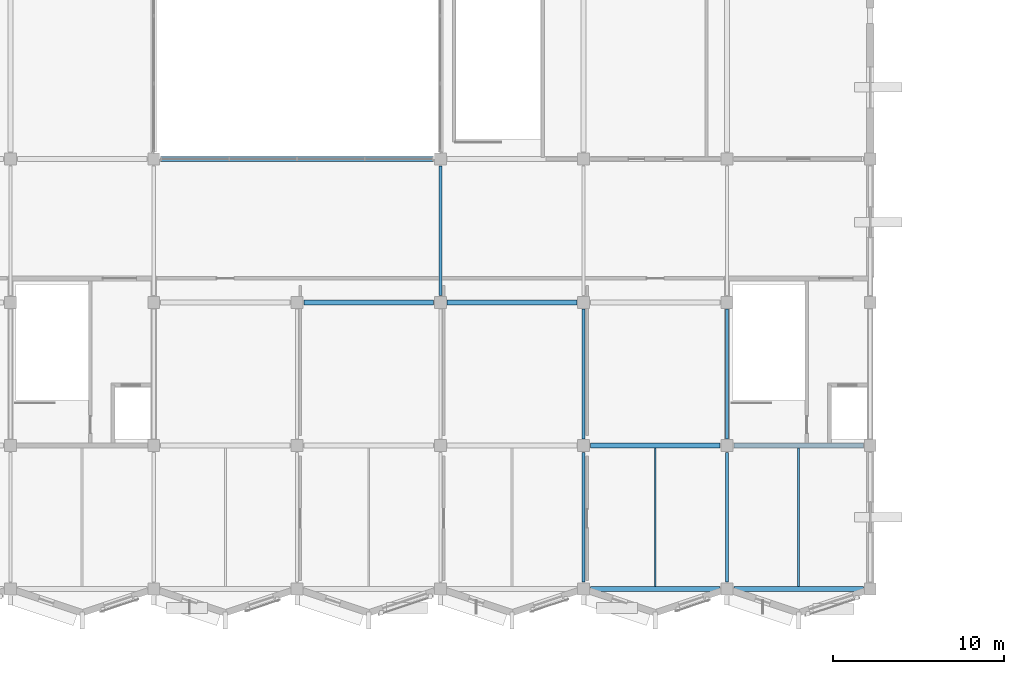
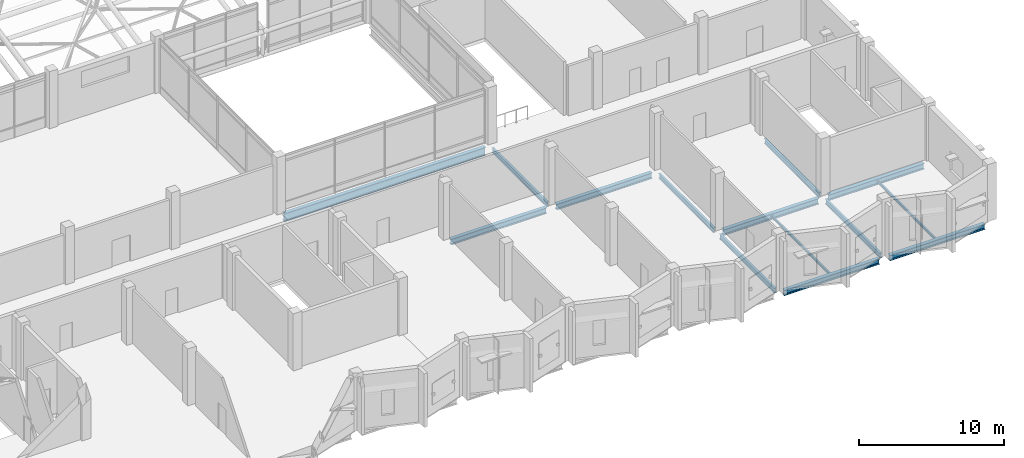
# One storey, part 19 of 110: 14 beams.
"""IFC4 building model written with IfcOpenShell, lengths in metres."""

from ifc_helpers import new_model, si_unit, direction, frame, origin, origin_2d, place, context, subcontext, project, spatial, i_section, extrude, material, material_profile, profile_set, type_object, element, save


model = new_model("IFC4")

# Units and contexts
model_context = context("Model", 3, precision=1e-05, world=origin(), true_north=direction((0.0, 1.0)))
body_context = subcontext(model_context, "Body", "Model", "MODEL_VIEW")
ifc_project = project(units=[si_unit("LENGTHUNIT", "METRE"), si_unit("AREAUNIT", "SQUARE_METRE"), si_unit("VOLUMEUNIT", "CUBIC_METRE"), si_unit("PLANEANGLEUNIT", "RADIAN"), si_unit("MASSUNIT", "GRAM", prefix="KILO")], contexts=[model_context])

# Site, building, storey
site_placement = place(None, origin())
site = spatial("IfcSite", under=ifc_project, at=site_placement, CompositionType="ELEMENT")
building_placement = place(site_placement, origin())
building = spatial("IfcBuilding", under=site, at=building_placement, Name="Qawsi Khor Wholesale Market", CompositionType="ELEMENT")
storey_placement = place(building_placement, frame((0.0, 0.0, 11.39990234375)))
storey = spatial("IfcBuildingStorey", under=building, at=storey_placement, Name="L02", CompositionType="ELEMENT", Elevation=11.39990234375)

# Beams
ifc_material = material(Name="Steel S355", Category="steel")
ifc_material_profile_1 = material_profile(ifc_material, i_section(OverallWidth=0.300048828125, OverallDepth=0.449951171875, WebThickness=0.013916015625, FlangeThickness=0.02587890625, FilletRadius=0.027099609375, at=origin_2d()), Name="HEB 450")
ifc_profile_set_1 = profile_set([ifc_material_profile_1], Name="Steel S355")
beam_type_1 = type_object("IfcBeamType", Name="Heavy Edge Girder HEB 450", PredefinedType="BEAM", material=ifc_profile_set_1)
beam_1_placement = place(storey_placement, frame((176.800048828125, 0.0, -0.5048828125), z_axis=(1.0, 0.0, 0.0), x_axis=(0.0, 1.0, 0.0)))
element("IfcBeam", 1, at=beam_1_placement, inside=storey, type_object=beam_type_1, Name="BM-X-L02-21_+00", PredefinedType="BEAM", context=body_context, shape_type="SweptSolid", body=[
    extrude(i_section(OverallWidth=0.300048828125, OverallDepth=0.449951171875, WebThickness=0.013916015625, FlangeThickness=0.02587890625, FilletRadius=0.027099609375, at=origin_2d()), origin(), (0.0, 0.0, 1.0), 7.599853515625),
])
beam_2_placement = place(storey_placement, frame((185.199951171875, 0.0, -0.5048828125), z_axis=(1.0, 0.0, 0.0), x_axis=(0.0, 1.0, 0.0)))
element("IfcBeam", 2, at=beam_2_placement, inside=storey, type_object=beam_type_1, Name="BM-X-L02-22_+00", PredefinedType="BEAM", context=body_context, shape_type="SweptSolid", body=[
    extrude(i_section(OverallWidth=0.300048828125, OverallDepth=0.449951171875, WebThickness=0.013916015625, FlangeThickness=0.02587890625, FilletRadius=0.027099609375, at=origin_2d()), origin(), (0.0, 0.0, 1.0), 7.60009765625),
])
ifc_material_profile_2 = material_profile(ifc_material, i_section(OverallWidth=0.300048828125, OverallDepth=0.489990234375, WebThickness=0.011962890625, FlangeThickness=0.02294921875, FilletRadius=0.027099609375, at=origin_2d()), Name="HEA 500")
ifc_profile_set_2 = profile_set([ifc_material_profile_2], Name="Steel S355")
beam_type_2 = type_object("IfcBeamType", Name="Primary Girder HEA 500", PredefinedType="BEAM", material=ifc_profile_set_2)
for number, where, z_axis, x_axis, name in (
    (3, (160.0, 16.800048828125, -0.52490234375), (1.0, 0.0, 0.0), (0.0, 1.0, 0.0), "BM-X-L02-19_+02"),
    (4, (168.39990234375, 16.800048828125, -0.52490234375), (1.0, 0.0, 0.0), (0.0, 1.0, 0.0), "BM-X-L02-20_+02"),
):
    element("IfcBeam", number, at=place(storey_placement, frame(where, z_axis=z_axis, x_axis=x_axis)), inside=storey, type_object=beam_type_2, Name=name, PredefinedType="BEAM", context=body_context, shape_type="SweptSolid", body=[
        extrude(i_section(OverallWidth=0.300048828125, OverallDepth=0.489990234375, WebThickness=0.011962890625, FlangeThickness=0.02294921875, FilletRadius=0.027099609375, at=origin_2d()), origin(), (0.0, 0.0, 1.0), 7.60009765625),
    ])
beam_3_placement = place(storey_placement, frame((176.800048828125, 8.39990234375, -0.52490234375), z_axis=(1.0, 0.0, 0.0), x_axis=(0.0, 1.0, 0.0)))
element("IfcBeam", 5, at=beam_3_placement, inside=storey, type_object=beam_type_2, Name="BM-X-L02-21_+01", PredefinedType="BEAM", context=body_context, shape_type="SweptSolid", body=[
    extrude(i_section(OverallWidth=0.300048828125, OverallDepth=0.489990234375, WebThickness=0.011962890625, FlangeThickness=0.02294921875, FilletRadius=0.027099609375, at=origin_2d()), origin(), (0.0, 0.0, 1.0), 7.599853515625),
])
beam_4_placement = place(storey_placement, frame((185.199951171875, 8.39990234375, -0.52490234375), z_axis=(1.0, 0.0, 0.0), x_axis=(0.0, 1.0, 0.0)))
element("IfcBeam", 6, at=beam_4_placement, inside=storey, type_object=beam_type_2, Name="BM-X-L02-22_+01", PredefinedType="BEAM", context=body_context, shape_type="SweptSolid", body=[
    extrude(i_section(OverallWidth=0.300048828125, OverallDepth=0.489990234375, WebThickness=0.011962890625, FlangeThickness=0.02294921875, FilletRadius=0.027099609375, at=origin_2d()), origin(), (0.0, 0.0, 1.0), 7.60009765625),
])
ifc_material_profile_3 = material_profile(ifc_material, i_section(OverallWidth=0.300048828125, OverallDepth=0.68994140625, WebThickness=0.014404296875, FlangeThickness=0.027099609375, FilletRadius=0.027099609375, at=origin_2d()), Name="HEA 700")
ifc_profile_set_3 = profile_set([ifc_material_profile_3], Name="Steel S355")
beam_type_3 = type_object("IfcBeamType", Name="Primary Girder HEA 700", PredefinedType="BEAM", material=ifc_profile_set_3)
beam_5_placement = place(storey_placement, frame((151.60009765625, 25.199951171875, -0.625), z_axis=(1.0, 0.0, 0.0), x_axis=(0.0, 1.0, 0.0)))
element("IfcBeam", 7, at=beam_5_placement, inside=storey, type_object=beam_type_3, Name="BM-XL-L02-18_+03", PredefinedType="BEAM", context=body_context, shape_type="SweptSolid", body=[
    extrude(i_section(OverallWidth=0.300048828125, OverallDepth=0.68994140625, WebThickness=0.014404296875, FlangeThickness=0.027099609375, FilletRadius=0.027099609375, at=origin_2d()), origin(), (0.0, 0.0, 1.0), 16.0),
])
ifc_material_profile_4 = material_profile(ifc_material, i_section(OverallWidth=0.179931640625, OverallDepth=0.39990234375, WebThickness=0.008544921875, FlangeThickness=0.013427734375, FilletRadius=0.02099609375, at=origin_2d()), Name="IPE 400")
ifc_profile_set_4 = profile_set([ifc_material_profile_4], Name="Steel S355")
beam_type_4 = type_object("IfcBeamType", Name="Secondary Beam IPE 400", PredefinedType="BEAM", material=ifc_profile_set_4)
for number, where, z_axis, x_axis, name in (
    (8, (168.0, 17.199951171875, -0.47998046875), (0.0, 1.0, 0.0), (-1.0, 0.0, 0.0), "BM-Y-L02-20_+02"),
    (9, (176.39990234375, 0.39990234375, -0.47998046875), (0.0, 1.0, 0.0), (-1.0, 0.0, 0.0), "BM-Y-L02-21_+00"),
):
    element("IfcBeam", number, at=place(storey_placement, frame(where, z_axis=z_axis, x_axis=x_axis)), inside=storey, type_object=beam_type_4, Name=name, PredefinedType="BEAM", context=body_context, shape_type="SweptSolid", body=[
        extrude(i_section(OverallWidth=0.179931640625, OverallDepth=0.39990234375, WebThickness=0.008544921875, FlangeThickness=0.013427734375, FilletRadius=0.02099609375, at=origin_2d()), origin(), (0.0, 0.0, 1.0), 7.60009765625),
    ])
beam_6_placement = place(storey_placement, frame((176.39990234375, 8.800048828125, -0.47998046875), z_axis=(0.0, 1.0, 0.0), x_axis=(-1.0, 0.0, 0.0)))
element("IfcBeam", 10, at=beam_6_placement, inside=storey, type_object=beam_type_4, Name="BM-Y-L02-21_+01", PredefinedType="BEAM", context=body_context, shape_type="SweptSolid", body=[
    extrude(i_section(OverallWidth=0.179931640625, OverallDepth=0.39990234375, WebThickness=0.008544921875, FlangeThickness=0.013427734375, FilletRadius=0.02099609375, at=origin_2d()), origin(), (0.0, 0.0, 1.0), 7.599853515625),
])
beam_7_placement = place(storey_placement, frame((184.800048828125, 0.39990234375, -0.47998046875), z_axis=(0.0, 1.0, 0.0), x_axis=(-1.0, 0.0, 0.0)))
element("IfcBeam", 11, at=beam_7_placement, inside=storey, type_object=beam_type_4, Name="BM-Y-L02-22_+00", PredefinedType="BEAM", context=body_context, shape_type="SweptSolid", body=[
    extrude(i_section(OverallWidth=0.179931640625, OverallDepth=0.39990234375, WebThickness=0.008544921875, FlangeThickness=0.013427734375, FilletRadius=0.02099609375, at=origin_2d()), origin(), (0.0, 0.0, 1.0), 7.60009765625),
])
beam_8_placement = place(storey_placement, frame((184.800048828125, 8.800048828125, -0.47998046875), z_axis=(0.0, 1.0, 0.0), x_axis=(-1.0, 0.0, 0.0)))
element("IfcBeam", 12, at=beam_8_placement, inside=storey, type_object=beam_type_4, Name="BM-Y-L02-22_+01", PredefinedType="BEAM", context=body_context, shape_type="SweptSolid", body=[
    extrude(i_section(OverallWidth=0.179931640625, OverallDepth=0.39990234375, WebThickness=0.008544921875, FlangeThickness=0.013427734375, FilletRadius=0.02099609375, at=origin_2d()), origin(), (0.0, 0.0, 1.0), 7.599853515625),
])
ifc_material_profile_5 = material_profile(ifc_material, i_section(OverallWidth=0.110107421875, OverallDepth=0.219970703125, WebThickness=0.005859375, FlangeThickness=0.00927734375, FilletRadius=0.011962890625, at=origin_2d()), Name="IPE 220")
ifc_profile_set_5 = profile_set([ifc_material_profile_5], Name="Steel S355")
beam_type_5 = type_object("IfcBeamType", Name="Terrace Joist IPE 220", PredefinedType="JOIST", material=ifc_profile_set_5)
for number, where, z_axis, x_axis, name in (
    (13, (180.60009765625, 0.14990234375, -0.389892578125), (0.0, 1.0, 0.0), (-1.0, 0.0, 0.0), "JST-S-L02-21"),
    (14, (189.0, 0.14990234375, -0.389892578125), (0.0, 1.0, 0.0), (-1.0, 0.0, 0.0), "JST-S-L02-22"),
):
    element("IfcBeam", number, at=place(storey_placement, frame(where, z_axis=z_axis, x_axis=x_axis)), inside=storey, type_object=beam_type_5, Name=name, PredefinedType="JOIST", context=body_context, shape_type="SweptSolid", body=[
        extrude(i_section(OverallWidth=0.110107421875, OverallDepth=0.219970703125, WebThickness=0.005859375, FlangeThickness=0.00927734375, FilletRadius=0.011962890625, at=origin_2d()), origin(), (0.0, 0.0, 1.0), 8.10009765625),
    ])

save(model, "model.ifc")
